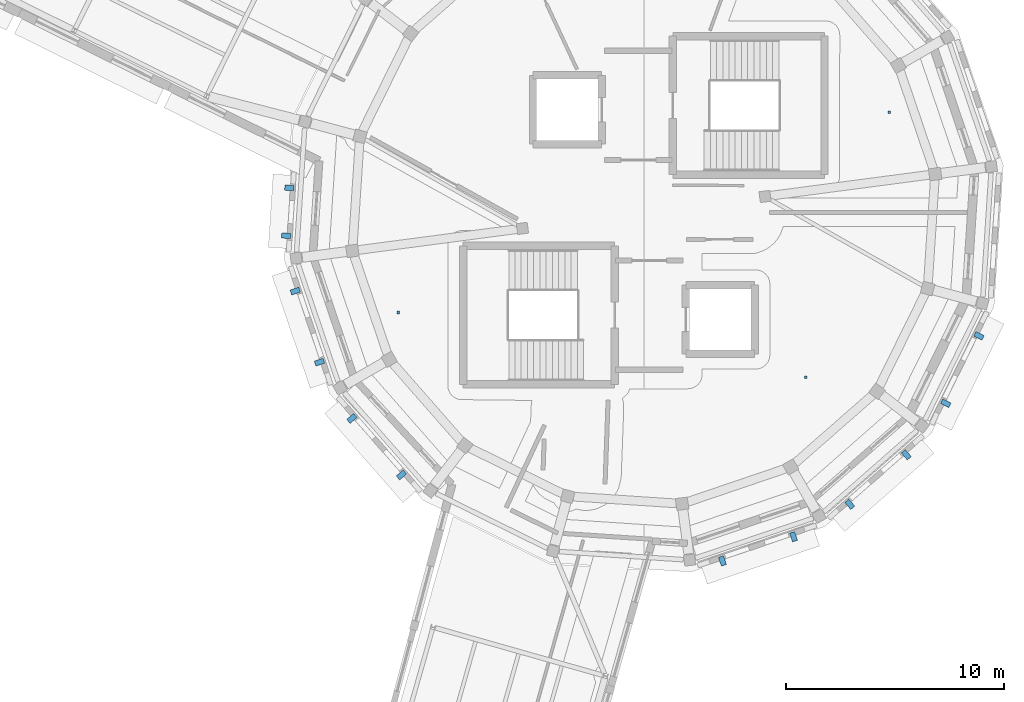
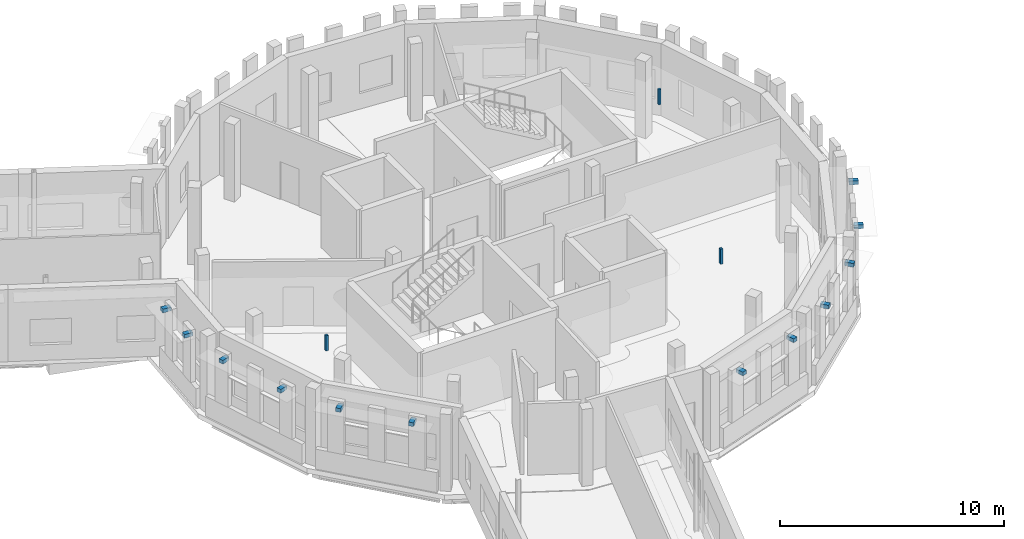
# One storey, part 83 of 90: 15 discrete accessories.
"""IFC4 building model written with IfcOpenShell, lengths in metres."""

from ifc_helpers import new_model, si_unit, direction, frame, origin, origin_2d, place, context, subcontext, project, spatial, rectangle, extrude, material, type_object, element, save


model = new_model("IFC4")

# Units and contexts
model_context = context("Model", 3, precision=1e-05, world=origin(), true_north=direction((0.0, 1.0)))
body_context = subcontext(model_context, "Body", "Model", "MODEL_VIEW")
ifc_project = project(units=[si_unit("LENGTHUNIT", "METRE"), si_unit("AREAUNIT", "SQUARE_METRE"), si_unit("VOLUMEUNIT", "CUBIC_METRE"), si_unit("PLANEANGLEUNIT", "RADIAN"), si_unit("MASSUNIT", "GRAM", prefix="KILO")], contexts=[model_context])

# Site, building, storey
site_placement = place(None, origin())
site = spatial("IfcSite", under=ifc_project, at=site_placement, CompositionType="ELEMENT")
building_placement = place(site_placement, origin())
building = spatial("IfcBuilding", under=site, at=building_placement, Name="Wrenclough Park School", CompositionType="ELEMENT")
storey_placement = place(building_placement, frame((0.0, 0.0, 8.39990234375)))
storey = spatial("IfcBuildingStorey", under=building, at=storey_placement, Name="L02", CompositionType="ELEMENT", Elevation=8.39990234375)

# Discrete accessories
ifc_material_1 = material(Name="Austenitic stainless steel Grade 1.4401", Category="steel")
discrete_accessory_type_1 = type_object("IfcDiscreteAccessoryType", Name="ENV-BRK-01", PredefinedType="BRACKET", material=ifc_material_1)
for number, where, z_axis, x_axis, name in (
    (1, (158.277587890625, 94.624267578125, 3.5400390625), (0.0, 0.0, 1.0), (-0.065399784397, -0.997859142465, 0.0), "Brise-soleil stainless outrigger bracket 0145"),
    (2, (158.134033203125, 92.43359375, 3.5400390625), (0.0, 0.0, 1.0), (-0.065399784397, -0.997859142465, 0.0), "Brise-soleil stainless outrigger bracket 0146"),
    (3, (158.549072265625, 89.901611328125, 3.5400390625), (0.0, 0.0, 1.0), (0.321440769485, -0.946929686784, 0.0), "Brise-soleil stainless outrigger bracket 0147"),
    (4, (159.65478515625, 86.644775390625, 3.5400390625), (0.0, 0.0, 1.0), (0.321440769485, -0.946929686784, 0.0), "Brise-soleil stainless outrigger bracket 0148"),
    (5, (161.140380859375, 84.071533203125, 3.5400390625), (0.0, 0.0, 1.0), (0.659344063222, -0.751841343831, 0.0), "Brise-soleil stainless outrigger bracket 0149"),
    (6, (163.407958984375, 81.485595703125, 3.5400390625), (0.0, 0.0, 1.0), (0.659344063222, -0.751841343831, 0.0), "Brise-soleil stainless outrigger bracket 0150"),
    (7, (178.098388671875, 77.549072265625, 3.5400390625), (0.0, 0.0, 1.0), (0.946929686784, 0.321440769485, 0.0), "Brise-soleil stainless outrigger bracket 0151"),
    (8, (181.355224609375, 78.65478515625, 3.5400390625), (0.0, 0.0, 1.0), (0.946929686784, 0.321440769485, 0.0), "Brise-soleil stainless outrigger bracket 0152"),
    (9, (183.928466796875, 80.140380859375, 3.5400390625), (0.0, 0.0, 1.0), (0.751841343831, 0.659344063222, 0.0), "Brise-soleil stainless outrigger bracket 0153"),
    (10, (186.514404296875, 82.407958984375, 3.5400390625), (0.0, 0.0, 1.0), (0.751841343831, 0.659344063222, 0.0), "Brise-soleil stainless outrigger bracket 0154"),
    (11, (188.3232421875, 84.76513671875, 3.5400390625), (0.0, 0.0, 1.0), (0.442287871234, 0.896873145411, 0.0), "Brise-soleil stainless outrigger bracket 0155"),
    (12, (189.8447265625, 87.85009765625, 3.5400390625), (0.0, 0.0, 1.0), (0.442287871234, 0.896873145411, 0.0), "Brise-soleil stainless outrigger bracket 0156"),
):
    element("IfcDiscreteAccessory", number, at=place(storey_placement, frame(where, z_axis=z_axis, x_axis=x_axis)), inside=storey, type_object=discrete_accessory_type_1, Name=name, PredefinedType="BRACKET", context=body_context, shape_type="SweptSolid", body=[
        extrude(rectangle(XDim=0.239990234375, YDim=0.419921875, at=origin_2d()), origin(), (0.0, 0.0, 1.0), 0.199951171875),
    ])
ifc_material_2 = material(Name="Galvanised steel acoustic ceiling suspension hanger", Category="steel")
discrete_accessory_type_2 = type_object("IfcDiscreteAccessoryType", Name="INT-BRK-HGR", PredefinedType="BRACKET", material=ifc_material_2)
for number, where, z_axis, x_axis, name in (
    (13, (163.26611328125, 88.918212890625, 3.090087890625), (0.0, 0.0, 1.0), (1.0, 0.0, 0.0), "Acoustic ceiling hanger bracket 0058"),
    (14, (181.9130859375, 85.953857421875, 3.090087890625), (0.0, 0.0, 1.0), (1.0, 0.0, 0.0), "Acoustic ceiling hanger bracket 0059"),
    (15, (185.73291015625, 98.081787109375, 3.090087890625), (0.0, 0.0, 1.0), (1.0, 0.0, 0.0), "Acoustic ceiling hanger bracket 0060"),
):
    element("IfcDiscreteAccessory", number, at=place(storey_placement, frame(where, z_axis=z_axis, x_axis=x_axis)), inside=storey, type_object=discrete_accessory_type_2, Name=name, PredefinedType="BRACKET", context=body_context, shape_type="SweptSolid", body=[
        extrude(rectangle(XDim=0.1201171875, YDim=0.1201171875, at=origin_2d()), origin(), (0.0, 0.0, 1.0), 0.8349609375),
    ])

save(model, "model.ifc")
